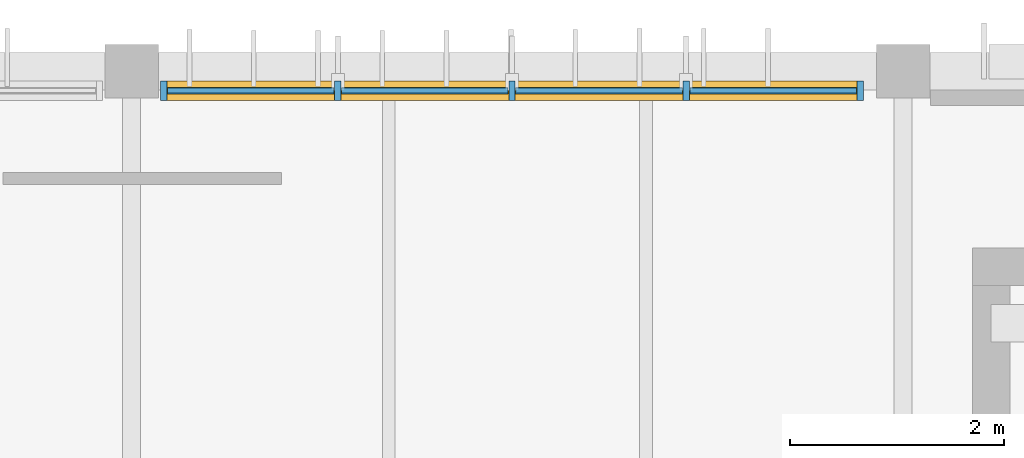
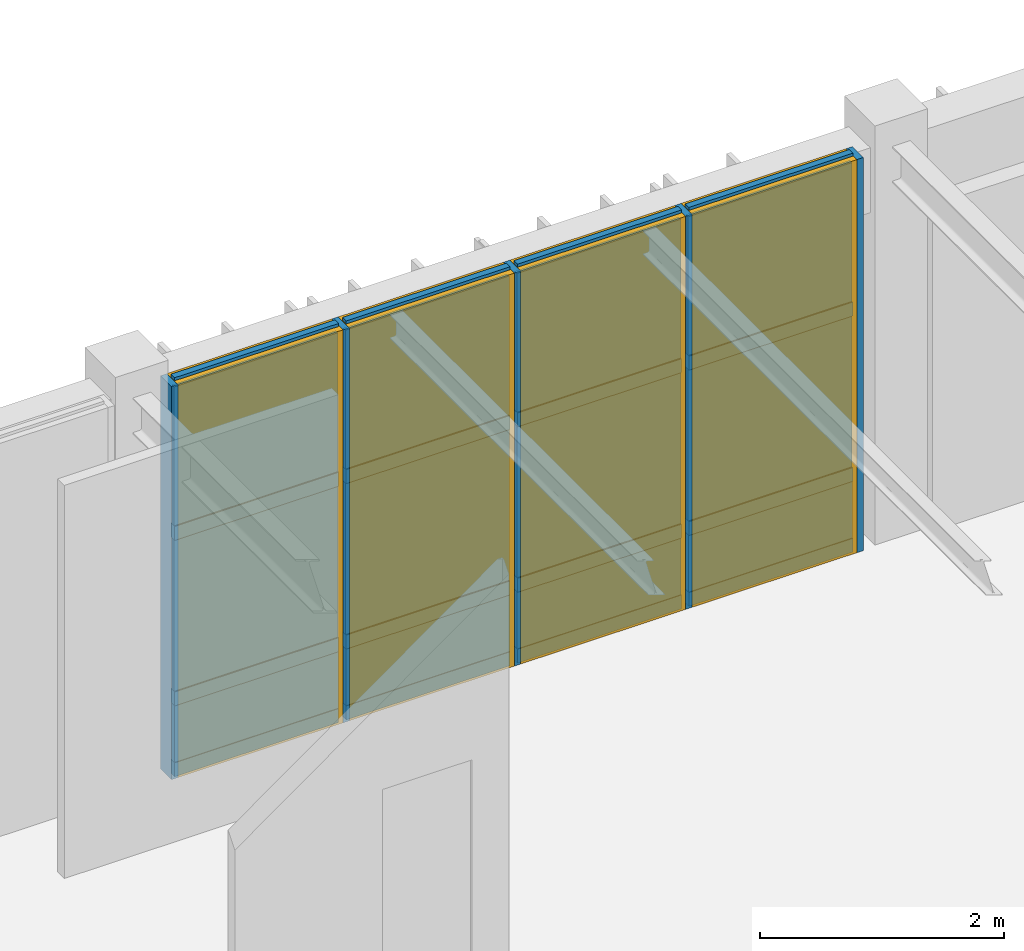
# One storey, part 97 of 122: 21 members, 12 plates, 1 curtain wall.
"""IFC4 building model written with IfcOpenShell, lengths in metres."""

import ifcopenshell
import ifcopenshell.guid

model = None  # the IFC model being written
_history = None  # IfcOwnerHistory: only IFC2X3 demands one
_inside = {}  # id of a spatial element -> (the spatial element, [elements in it])
_under = {}  # id of a project, library or spatial element -> (it, [spatial elements below it])
_declared = {}  # id of a project -> (the project, [libraries it declares])
_typed = {}  # id of a type object -> (the type object, [elements of that type])
_made_of = {}  # id of a material, layer set ... -> (it, [elements and type objects made of it])


def new_model(schema):
    """Start an empty IFC model of exactly this schema.

    Asked for "IFC4X3", IfcOpenShell would pick the latest addendum, in which some entities
    have other attributes; the version numbers below select the first issue.
    IFC2X3 requires an IfcOwnerHistory on every rooted entity: one is made here for all.
    """
    global model, _history
    if schema == "IFC4X3":
        model = ifcopenshell.file(schema_version=(4, 3, 0, 0))
    else:
        model = ifcopenshell.file(schema=schema)
    _inside.clear()
    _under.clear()
    _declared.clear()
    _typed.clear()
    _made_of.clear()
    _history = None
    if model.schema == "IFC2X3":
        org = make("IfcOrganization", Name="unknown")
        user = make(
            "IfcPersonAndOrganization",
            ThePerson=make("IfcPerson", FamilyName="unknown"),
            TheOrganization=org,
        )
        app = make(
            "IfcApplication",
            ApplicationDeveloper=org,
            Version="unknown",
            ApplicationFullName="unknown",
            ApplicationIdentifier="unknown",
        )
        _history = make(
            "IfcOwnerHistory",
            OwningUser=user,
            OwningApplication=app,
            ChangeAction="ADDED",
            CreationDate=0,
        )
    return model


def make(cls, **values):
    """One entity of the class cls with the attributes given. An attribute that is None is left unset."""
    return model.create_entity(
        cls, **{name: value for name, value in values.items() if value is not None}
    )


def rooted(cls, **values):
    """An entity with a GlobalId (a new one), such as an element, a storey or a relation."""
    return make(cls, GlobalId=ifcopenshell.guid.new(), OwnerHistory=_history, **values)


def si_unit(unit_type, name, prefix=None):
    """IfcSIUnit, for example si_unit("LENGTHUNIT", "METRE", prefix="MILLI")."""
    return make("IfcSIUnit", UnitType=unit_type, Prefix=prefix, Name=name)


def assignment(units):
    """IfcUnitAssignment: the units of a project."""
    return None if units is None else make("IfcUnitAssignment", Units=units)


def point(xyz):
    """IfcCartesianPoint."""
    return None if xyz is None else make("IfcCartesianPoint", Coordinates=xyz)


def direction(xyz):
    """IfcDirection."""
    return None if xyz is None else make("IfcDirection", DirectionRatios=xyz)


def frame(location, z_axis=None, x_axis=None):
    """IfcAxis2Placement3D, a coordinate frame: its origin and axes. An axis left out is left unset."""
    return make(
        "IfcAxis2Placement3D",
        Location=point(location),
        Axis=direction(z_axis),
        RefDirection=direction(x_axis),
    )


def frame_2d(location, x_axis=None):
    """IfcAxis2Placement2D, a coordinate frame in the plane: its origin and x axis."""
    return make(
        "IfcAxis2Placement2D", Location=point(location), RefDirection=direction(x_axis)
    )


def origin():
    """The frame at (0, 0, 0) with its axes left unset."""
    return frame((0.0, 0.0, 0.0))


def origin_2d():
    """The frame at (0, 0) in the plane with its x axis left unset."""
    return frame_2d((0.0, 0.0))


def place(relative_to, where):
    """IfcLocalPlacement: puts the frame where relative to a parent placement (None: the world)."""
    return make(
        "IfcLocalPlacement", PlacementRelTo=relative_to, RelativePlacement=where
    )


def context(
    kind, dimensions, precision=None, world=None, true_north=None, identifier=None
):
    """IfcGeometricRepresentationContext, for example the 3D "Model" context."""
    return make(
        "IfcGeometricRepresentationContext",
        ContextIdentifier=identifier,
        ContextType=kind,
        CoordinateSpaceDimension=dimensions,
        Precision=precision,
        WorldCoordinateSystem=world,
        TrueNorth=true_north,
    )


def subcontext(parent, identifier, kind, view, scale=None):
    """IfcGeometricRepresentationSubContext, for example "Body" below "Model"."""
    return make(
        "IfcGeometricRepresentationSubContext",
        ContextIdentifier=identifier,
        ContextType=kind,
        ParentContext=parent,
        TargetScale=scale,
        TargetView=view,
    )


def project(units=None, contexts=None):
    """IfcProject with its units and contexts."""
    return rooted(
        "IfcProject",
        Name="project",
        RepresentationContexts=contexts,
        UnitsInContext=assignment(units),
    )


def spatial(cls, under=None, at=None, **own):
    """A site, building, storey or space (cls), placed at a placement, below another one or the project."""
    s = rooted(cls, ObjectPlacement=at, **own)
    if under is not None:
        _under.setdefault(under.id(), (under, []))[1].append(s)
    return s


def profile(cls, at=None, kind="AREA", **sizes):
    """A parametric profile (cls). Its sizes go by their IFC names, for example OverallWidth=200.0."""
    return make(cls, ProfileType=kind, Position=at, **sizes)


def rectangle(**sizes):
    """IfcRectangleProfileDef."""
    return profile("IfcRectangleProfileDef", **sizes)


def extrude(swept, where, along, depth):
    """IfcExtrudedAreaSolid: the profile swept, set in the frame where, extruded along a direction by depth."""
    return make(
        "IfcExtrudedAreaSolid",
        SweptArea=swept,
        Position=where,
        ExtrudedDirection=direction(along),
        Depth=depth,
    )


def shape(context_of_items, identifier, shape_type, items):
    """IfcShapeRepresentation: the items that make up one representation, for example the "Body"."""
    return make(
        "IfcShapeRepresentation",
        ContextOfItems=context_of_items,
        RepresentationIdentifier=identifier,
        RepresentationType=shape_type,
        Items=items,
    )


def material(Name=None, Category=None):
    """IfcMaterial."""
    return make("IfcMaterial", Name=Name, Category=Category)


def layer(
    of_material, thickness, ventilated=None, Name=None, Category=None, Priority=None
):
    """IfcMaterialLayer: one layer of a wall or slab, of a material (None: an air gap)."""
    return make(
        "IfcMaterialLayer",
        Material=of_material,
        LayerThickness=thickness,
        IsVentilated=ventilated,
        Name=Name,
        Category=Category,
        Priority=Priority,
    )


def layer_set(layers, Name=None):
    """IfcMaterialLayerSet."""
    return make("IfcMaterialLayerSet", MaterialLayers=layers, LayerSetName=Name)


def material_profile(
    of_material, cross_section, Name=None, Category=None, Priority=None
):
    """IfcMaterialProfile: a cross section and its material."""
    return make(
        "IfcMaterialProfile",
        Name=Name,
        Material=of_material,
        Profile=cross_section,
        Priority=Priority,
        Category=Category,
    )


def profile_set(profiles, Name=None, composite=None):
    """IfcMaterialProfileSet."""
    return make(
        "IfcMaterialProfileSet",
        Name=Name,
        MaterialProfiles=profiles,
        CompositeProfile=composite,
    )


def made_of(thing, what):
    """Note that an element or type object is made of a material, layer set ...; save() writes the relation."""
    if what is not None:
        _made_of.setdefault(what.id(), (what, []))[1].append(thing)
    return thing


def type_object(cls, material=None, **own):
    """A type object (cls), such as IfcWallType, which elements share."""
    return made_of(rooted(cls, **own), material)


def element(
    cls,
    number,
    at=None,
    inside=None,
    cuts=None,
    type_object=None,
    material=None,
    context=None,
    identifier="Body",
    shape_type=None,
    held_by="IfcProductDefinitionShape",
    body=None,
    shapes=None,
    **own,
):
    """One element of the class cls, such as IfcWall. Its Tag is "e" and its number.

    at: its placement. inside: the storey or other place that contains it. cuts: it is an
    opening in that element (IfcRelVoidsElement). A single representation is given by context,
    identifier, shape_type and body (its items); several are given by shapes. held_by: the class
    of the entity that holds the representations. save() writes the other relations.
    """
    e = rooted(cls, Tag="e%d" % number, ObjectPlacement=at, **own)
    if body is not None:
        shapes = [shape(context, identifier, shape_type, body)]
    if shapes is not None:
        e.Representation = make(held_by, Representations=shapes)
    if inside is not None:
        _inside.setdefault(inside.id(), (inside, []))[1].append(e)
    if cuts is not None:
        rooted(
            "IfcRelVoidsElement", RelatingBuildingElement=cuts, RelatedOpeningElement=e
        )
    if type_object is not None:
        _typed.setdefault(type_object.id(), (type_object, []))[1].append(e)
    return made_of(e, material)


def aggregate(whole, parts):
    """IfcRelAggregates: a whole, such as a stair, and the parts it consists of."""
    return rooted("IfcRelAggregates", RelatingObject=whole, RelatedObjects=parts)


def save(model, path):
    """Write the relations noted so far, then the file.

    IfcRelAggregates (storeys below a building ...), IfcRelContainedInSpatialStructure (elements
    in a storey), IfcRelDefinesByType, IfcRelAssociatesMaterial and IfcRelDeclares: one each for
    every whole, place, type object, material and project.
    """
    for whole, parts in _under.values():
        aggregate(whole, parts)
    for where, things in _inside.values():
        rooted(
            "IfcRelContainedInSpatialStructure",
            RelatedElements=things,
            RelatingStructure=where,
        )
    for kind, things in _typed.values():
        rooted("IfcRelDefinesByType", RelatedObjects=things, RelatingType=kind)
    for what, things in _made_of.values():
        rooted("IfcRelAssociatesMaterial", RelatedObjects=things, RelatingMaterial=what)
    for by, libraries in _declared.values():
        rooted("IfcRelDeclares", RelatingContext=by, RelatedDefinitions=libraries)
    model.write(path)


model = new_model("IFC4")

# Units and contexts
model_context = context("Model", 3, precision=1e-05, world=origin(), true_north=direction((0.0, 1.0)))
body_context = subcontext(model_context, "Body", "Model", "MODEL_VIEW")
ifc_project = project(units=[si_unit("LENGTHUNIT", "METRE"), si_unit("AREAUNIT", "SQUARE_METRE"), si_unit("VOLUMEUNIT", "CUBIC_METRE"), si_unit("PLANEANGLEUNIT", "RADIAN"), si_unit("MASSUNIT", "GRAM", prefix="KILO")], contexts=[model_context])

# Member
ifc_material_1 = material(Name="Anodised Bronze Aluminium 6063-T6", Category="aluminium")
ifc_material_profile_1 = material_profile(ifc_material_1, rectangle(XDim=0.06005859375, YDim=0.179931640625, at=origin_2d()), Name="ALU MULLION 60x180")
ifc_profile_set_1 = profile_set([ifc_material_profile_1], Name="Anodised Bronze Aluminium 6063-T6")
member_type_1 = type_object("IfcMemberType", Name="Curtain-Wall Primary Mullion 60x180", PredefinedType="MULLION", material=ifc_profile_set_1)
site_placement = place(None, origin())
building_placement = place(site_placement, origin())
storey_placement = place(building_placement, frame((0.0, 0.0, 4.800048828125)))
member_1_placement = place(storey_placement, frame((110.10009765625, 111.6201171875, 0.0), z_axis=(0.0, 0.0, 1.0), x_axis=(1.0, 0.0, 0.0)))
member_1 = element("IfcMember", 1, at=member_1_placement, type_object=member_type_1, Name="Mullion CWM-01 CW-V3-N1-L01-B2-M01", PredefinedType="MULLION", context=body_context, shape_type="SweptSolid", body=[
    extrude(rectangle(XDim=0.06005859375, YDim=0.179931640625, at=origin_2d()), origin(), (0.0, 0.0, 1.0), 3.93994140625),
])

member_2_placement = place(storey_placement, frame((111.72509765625, 111.6201171875, 0.0), z_axis=(0.0, 0.0, 1.0), x_axis=(1.0, 0.0, 0.0)))
member_2 = element("IfcMember", 2, at=member_2_placement, type_object=member_type_1, Name="Mullion CWM-01 CW-V3-N1-L01-B2-M02", PredefinedType="MULLION", context=body_context, shape_type="SweptSolid", body=[
    extrude(rectangle(XDim=0.06005859375, YDim=0.179931640625, at=origin_2d()), origin(), (0.0, 0.0, 1.0), 3.93994140625),
])

member_3_placement = place(storey_placement, frame((113.35009765625, 111.6201171875, 0.0), z_axis=(0.0, 0.0, 1.0), x_axis=(1.0, 0.0, 0.0)))
member_3 = element("IfcMember", 3, at=member_3_placement, type_object=member_type_1, Name="Mullion CWM-01 CW-V3-N1-L01-B2-M03", PredefinedType="MULLION", context=body_context, shape_type="SweptSolid", body=[
    extrude(rectangle(XDim=0.06005859375, YDim=0.179931640625, at=origin_2d()), origin(), (0.0, 0.0, 1.0), 3.93994140625),
])

member_4_placement = place(storey_placement, frame((114.97509765625, 111.6201171875, 0.0), z_axis=(0.0, 0.0, 1.0), x_axis=(1.0, 0.0, 0.0)))
member_4 = element("IfcMember", 4, at=member_4_placement, type_object=member_type_1, Name="Mullion CWM-01 CW-V3-N1-L01-B2-M04", PredefinedType="MULLION", context=body_context, shape_type="SweptSolid", body=[
    extrude(rectangle(XDim=0.06005859375, YDim=0.179931640625, at=origin_2d()), origin(), (0.0, 0.0, 1.0), 3.93994140625),
])

member_5_placement = place(storey_placement, frame((116.60009765625, 111.6201171875, 0.0), z_axis=(0.0, 0.0, 1.0), x_axis=(1.0, 0.0, 0.0)))
member_5 = element("IfcMember", 5, at=member_5_placement, type_object=member_type_1, Name="Mullion CWM-01 CW-V3-N1-L01-B2-M05", PredefinedType="MULLION", context=body_context, shape_type="SweptSolid", body=[
    extrude(rectangle(XDim=0.06005859375, YDim=0.179931640625, at=origin_2d()), origin(), (0.0, 0.0, 1.0), 3.93994140625),
])

ifc_material_profile_2 = material_profile(ifc_material_1, rectangle(XDim=0.06005859375, YDim=0.139892578125, at=origin_2d()), Name="ALU TRANSOM 60x140")
ifc_profile_set_2 = profile_set([ifc_material_profile_2], Name="Anodised Bronze Aluminium 6063-T6")
member_type_2 = type_object("IfcMemberType", Name="Curtain-Wall Transom 60x140", PredefinedType="USERDEFINED", material=ifc_profile_set_2)
member_6_placement = place(storey_placement, frame((110.135009765625, 111.6201171875, 0.0400390625), z_axis=(1.0, 0.0, 0.0), x_axis=(0.0, 1.0, 0.0)))
member_6 = element("IfcMember", 6, at=member_6_placement, type_object=member_type_2, Name="Transom CWT-01 CW-V3-N1-L01-B2-T01.1", ObjectType="TRANSOM", PredefinedType="USERDEFINED", context=body_context, shape_type="SweptSolid", body=[
    extrude(rectangle(XDim=0.06005859375, YDim=0.139892578125, at=origin_2d()), origin(), (0.0, 0.0, 1.0), 1.554931640625),
])

member_7_placement = place(storey_placement, frame((110.135009765625, 111.6201171875, 0.75), z_axis=(1.0, 0.0, 0.0), x_axis=(0.0, 1.0, 0.0)))
member_7 = element("IfcMember", 7, at=member_7_placement, type_object=member_type_2, Name="Transom CWT-01 CW-V3-N1-L01-B2-T01.2", ObjectType="TRANSOM", PredefinedType="USERDEFINED", context=body_context, shape_type="SweptSolid", body=[
    extrude(rectangle(XDim=0.06005859375, YDim=0.139892578125, at=origin_2d()), origin(), (0.0, 0.0, 1.0), 1.554931640625),
])

member_8_placement = place(storey_placement, frame((110.135009765625, 111.6201171875, 2.40869140625), z_axis=(1.0, 0.0, 0.0), x_axis=(0.0, 1.0, 0.0)))
member_8 = element("IfcMember", 8, at=member_8_placement, type_object=member_type_2, Name="Transom CWT-01 CW-V3-N1-L01-B2-T01.3", ObjectType="TRANSOM", PredefinedType="USERDEFINED", context=body_context, shape_type="SweptSolid", body=[
    extrude(rectangle(XDim=0.06005859375, YDim=0.139892578125, at=origin_2d()), origin(), (0.0, 0.0, 1.0), 1.554931640625),
])

member_9_placement = place(storey_placement, frame((110.135009765625, 111.6201171875, 3.89990234375), z_axis=(1.0, 0.0, 0.0), x_axis=(0.0, 1.0, 0.0)))
member_9 = element("IfcMember", 9, at=member_9_placement, type_object=member_type_2, Name="Transom CWT-01 CW-V3-N1-L01-B2-T01.4", ObjectType="TRANSOM", PredefinedType="USERDEFINED", context=body_context, shape_type="SweptSolid", body=[
    extrude(rectangle(XDim=0.06005859375, YDim=0.139892578125, at=origin_2d()), origin(), (0.0, 0.0, 1.0), 1.554931640625),
])

member_10_placement = place(storey_placement, frame((111.760009765625, 111.6201171875, 0.0400390625), z_axis=(1.0, 0.0, 0.0), x_axis=(0.0, 1.0, 0.0)))
member_10 = element("IfcMember", 10, at=member_10_placement, type_object=member_type_2, Name="Transom CWT-01 CW-V3-N1-L01-B2-T02.1", ObjectType="TRANSOM", PredefinedType="USERDEFINED", context=body_context, shape_type="SweptSolid", body=[
    extrude(rectangle(XDim=0.06005859375, YDim=0.139892578125, at=origin_2d()), origin(), (0.0, 0.0, 1.0), 1.554931640625),
])

member_11_placement = place(storey_placement, frame((111.760009765625, 111.6201171875, 0.75), z_axis=(1.0, 0.0, 0.0), x_axis=(0.0, 1.0, 0.0)))
member_11 = element("IfcMember", 11, at=member_11_placement, type_object=member_type_2, Name="Transom CWT-01 CW-V3-N1-L01-B2-T02.2", ObjectType="TRANSOM", PredefinedType="USERDEFINED", context=body_context, shape_type="SweptSolid", body=[
    extrude(rectangle(XDim=0.06005859375, YDim=0.139892578125, at=origin_2d()), origin(), (0.0, 0.0, 1.0), 1.554931640625),
])

member_12_placement = place(storey_placement, frame((111.760009765625, 111.6201171875, 2.40869140625), z_axis=(1.0, 0.0, 0.0), x_axis=(0.0, 1.0, 0.0)))
member_12 = element("IfcMember", 12, at=member_12_placement, type_object=member_type_2, Name="Transom CWT-01 CW-V3-N1-L01-B2-T02.3", ObjectType="TRANSOM", PredefinedType="USERDEFINED", context=body_context, shape_type="SweptSolid", body=[
    extrude(rectangle(XDim=0.06005859375, YDim=0.139892578125, at=origin_2d()), origin(), (0.0, 0.0, 1.0), 1.554931640625),
])

member_13_placement = place(storey_placement, frame((111.760009765625, 111.6201171875, 3.89990234375), z_axis=(1.0, 0.0, 0.0), x_axis=(0.0, 1.0, 0.0)))
member_13 = element("IfcMember", 13, at=member_13_placement, type_object=member_type_2, Name="Transom CWT-01 CW-V3-N1-L01-B2-T02.4", ObjectType="TRANSOM", PredefinedType="USERDEFINED", context=body_context, shape_type="SweptSolid", body=[
    extrude(rectangle(XDim=0.06005859375, YDim=0.139892578125, at=origin_2d()), origin(), (0.0, 0.0, 1.0), 1.554931640625),
])

member_14_placement = place(storey_placement, frame((113.385009765625, 111.6201171875, 0.0400390625), z_axis=(1.0, 0.0, 0.0), x_axis=(0.0, 1.0, 0.0)))
member_14 = element("IfcMember", 14, at=member_14_placement, type_object=member_type_2, Name="Transom CWT-01 CW-V3-N1-L01-B2-T03.1", ObjectType="TRANSOM", PredefinedType="USERDEFINED", context=body_context, shape_type="SweptSolid", body=[
    extrude(rectangle(XDim=0.06005859375, YDim=0.139892578125, at=origin_2d()), origin(), (0.0, 0.0, 1.0), 1.554931640625),
])

member_15_placement = place(storey_placement, frame((113.385009765625, 111.6201171875, 0.75), z_axis=(1.0, 0.0, 0.0), x_axis=(0.0, 1.0, 0.0)))
member_15 = element("IfcMember", 15, at=member_15_placement, type_object=member_type_2, Name="Transom CWT-01 CW-V3-N1-L01-B2-T03.2", ObjectType="TRANSOM", PredefinedType="USERDEFINED", context=body_context, shape_type="SweptSolid", body=[
    extrude(rectangle(XDim=0.06005859375, YDim=0.139892578125, at=origin_2d()), origin(), (0.0, 0.0, 1.0), 1.554931640625),
])

member_16_placement = place(storey_placement, frame((113.385009765625, 111.6201171875, 2.40869140625), z_axis=(1.0, 0.0, 0.0), x_axis=(0.0, 1.0, 0.0)))
member_16 = element("IfcMember", 16, at=member_16_placement, type_object=member_type_2, Name="Transom CWT-01 CW-V3-N1-L01-B2-T03.3", ObjectType="TRANSOM", PredefinedType="USERDEFINED", context=body_context, shape_type="SweptSolid", body=[
    extrude(rectangle(XDim=0.06005859375, YDim=0.139892578125, at=origin_2d()), origin(), (0.0, 0.0, 1.0), 1.554931640625),
])

member_17_placement = place(storey_placement, frame((113.385009765625, 111.6201171875, 3.89990234375), z_axis=(1.0, 0.0, 0.0), x_axis=(0.0, 1.0, 0.0)))
member_17 = element("IfcMember", 17, at=member_17_placement, type_object=member_type_2, Name="Transom CWT-01 CW-V3-N1-L01-B2-T03.4", ObjectType="TRANSOM", PredefinedType="USERDEFINED", context=body_context, shape_type="SweptSolid", body=[
    extrude(rectangle(XDim=0.06005859375, YDim=0.139892578125, at=origin_2d()), origin(), (0.0, 0.0, 1.0), 1.554931640625),
])

member_18_placement = place(storey_placement, frame((115.010009765625, 111.6201171875, 0.0400390625), z_axis=(1.0, 0.0, 0.0), x_axis=(0.0, 1.0, 0.0)))
member_18 = element("IfcMember", 18, at=member_18_placement, type_object=member_type_2, Name="Transom CWT-01 CW-V3-N1-L01-B2-T04.1", ObjectType="TRANSOM", PredefinedType="USERDEFINED", context=body_context, shape_type="SweptSolid", body=[
    extrude(rectangle(XDim=0.06005859375, YDim=0.139892578125, at=origin_2d()), origin(), (0.0, 0.0, 1.0), 1.554931640625),
])

member_19_placement = place(storey_placement, frame((115.010009765625, 111.6201171875, 0.75), z_axis=(1.0, 0.0, 0.0), x_axis=(0.0, 1.0, 0.0)))
member_19 = element("IfcMember", 19, at=member_19_placement, type_object=member_type_2, Name="Transom CWT-01 CW-V3-N1-L01-B2-T04.2", ObjectType="TRANSOM", PredefinedType="USERDEFINED", context=body_context, shape_type="SweptSolid", body=[
    extrude(rectangle(XDim=0.06005859375, YDim=0.139892578125, at=origin_2d()), origin(), (0.0, 0.0, 1.0), 1.554931640625),
])

member_20_placement = place(storey_placement, frame((115.010009765625, 111.6201171875, 2.40869140625), z_axis=(1.0, 0.0, 0.0), x_axis=(0.0, 1.0, 0.0)))
member_20 = element("IfcMember", 20, at=member_20_placement, type_object=member_type_2, Name="Transom CWT-01 CW-V3-N1-L01-B2-T04.3", ObjectType="TRANSOM", PredefinedType="USERDEFINED", context=body_context, shape_type="SweptSolid", body=[
    extrude(rectangle(XDim=0.06005859375, YDim=0.139892578125, at=origin_2d()), origin(), (0.0, 0.0, 1.0), 1.554931640625),
])

member_21_placement = place(storey_placement, frame((115.010009765625, 111.6201171875, 3.89990234375), z_axis=(1.0, 0.0, 0.0), x_axis=(0.0, 1.0, 0.0)))
member_21 = element("IfcMember", 21, at=member_21_placement, type_object=member_type_2, Name="Transom CWT-01 CW-V3-N1-L01-B2-T04.4", ObjectType="TRANSOM", PredefinedType="USERDEFINED", context=body_context, shape_type="SweptSolid", body=[
    extrude(rectangle(XDim=0.06005859375, YDim=0.139892578125, at=origin_2d()), origin(), (0.0, 0.0, 1.0), 1.554931640625),
])

# Plate
ifc_material_2 = material(Name="Insulated Bronze Aluminium Spandrel Panel", Category="aluminium")
ifc_layer_1 = layer(ifc_material_2, 0.050048828125, Name="Insulated Bronze Aluminium Spandrel Panel")
ifc_layer_set_1 = layer_set([ifc_layer_1], Name="Insulated Bronze Aluminium Spandrel Panel")
plate_type_1 = type_object("IfcPlateType", Name="Insulated Anodised Aluminium Spandrel Cassette 50", PredefinedType="CURTAIN_PANEL", material=ifc_layer_set_1)
plate_1_placement = place(storey_placement, frame((110.91259765625, 111.6201171875, 0.070068359375), z_axis=(0.0, 0.0, 1.0), x_axis=(1.0, 0.0, 0.0)))
plate_1 = element("IfcPlate", 22, at=plate_1_placement, type_object=plate_type_1, Name="Curtain Panel CWP-03 CW-V3-N1-L01-B2-P01.1", PredefinedType="CURTAIN_PANEL", context=body_context, shape_type="SweptSolid", body=[
    extrude(rectangle(XDim=1.554931640625, YDim=0.050048828125, at=origin_2d()), origin(), (0.0, 0.0, 1.0), 0.64990234375),
])

plate_2_placement = place(storey_placement, frame((112.53759765625, 111.6201171875, 0.070068359375), z_axis=(0.0, 0.0, 1.0), x_axis=(1.0, 0.0, 0.0)))
plate_2 = element("IfcPlate", 23, at=plate_2_placement, type_object=plate_type_1, Name="Curtain Panel CWP-03 CW-V3-N1-L01-B2-P02.1", PredefinedType="CURTAIN_PANEL", context=body_context, shape_type="SweptSolid", body=[
    extrude(rectangle(XDim=1.554931640625, YDim=0.050048828125, at=origin_2d()), origin(), (0.0, 0.0, 1.0), 0.64990234375),
])

plate_3_placement = place(storey_placement, frame((114.16259765625, 111.6201171875, 0.070068359375), z_axis=(0.0, 0.0, 1.0), x_axis=(1.0, 0.0, 0.0)))
plate_3 = element("IfcPlate", 24, at=plate_3_placement, type_object=plate_type_1, Name="Curtain Panel CWP-03 CW-V3-N1-L01-B2-P03.1", PredefinedType="CURTAIN_PANEL", context=body_context, shape_type="SweptSolid", body=[
    extrude(rectangle(XDim=1.554931640625, YDim=0.050048828125, at=origin_2d()), origin(), (0.0, 0.0, 1.0), 0.64990234375),
])

plate_4_placement = place(storey_placement, frame((115.78759765625, 111.6201171875, 0.070068359375), z_axis=(0.0, 0.0, 1.0), x_axis=(1.0, 0.0, 0.0)))
plate_4 = element("IfcPlate", 25, at=plate_4_placement, type_object=plate_type_1, Name="Curtain Panel CWP-03 CW-V3-N1-L01-B2-P04.1", PredefinedType="CURTAIN_PANEL", context=body_context, shape_type="SweptSolid", body=[
    extrude(rectangle(XDim=1.554931640625, YDim=0.050048828125, at=origin_2d()), origin(), (0.0, 0.0, 1.0), 0.64990234375),
])

ifc_material_3 = material(Name="Solar-Control Tempered Double Glazing", Category="glass")
ifc_layer_2 = layer(ifc_material_3, 0.0380859375, Name="Solar-Control Tempered Double Glazing")
ifc_layer_set_2 = layer_set([ifc_layer_2], Name="Solar-Control Tempered Double Glazing")
plate_type_2 = type_object("IfcPlateType", Name="Solar-Control Vision Glazing Unit 38", PredefinedType="CURTAIN_PANEL", material=ifc_layer_set_2)
plate_5_placement = place(storey_placement, frame((110.91259765625, 111.6201171875, 0.77978515625), z_axis=(0.0, 0.0, 1.0), x_axis=(1.0, 0.0, 0.0)))
plate_5 = element("IfcPlate", 26, at=plate_5_placement, type_object=plate_type_2, Name="Curtain Panel CWP-02 CW-V3-N1-L01-B2-P01.2", PredefinedType="CURTAIN_PANEL", context=body_context, shape_type="SweptSolid", body=[
    extrude(rectangle(XDim=1.554931640625, YDim=0.0380859375, at=origin_2d()), origin(), (0.0, 0.0, 1.0), 1.598876953125),
])

plate_6_placement = place(storey_placement, frame((110.91259765625, 111.6201171875, 2.438720703125), z_axis=(0.0, 0.0, 1.0), x_axis=(1.0, 0.0, 0.0)))
plate_6 = element("IfcPlate", 27, at=plate_6_placement, type_object=plate_type_2, Name="Curtain Panel CWP-02 CW-V3-N1-L01-B2-P01.3", PredefinedType="CURTAIN_PANEL", context=body_context, shape_type="SweptSolid", body=[
    extrude(rectangle(XDim=1.554931640625, YDim=0.0380859375, at=origin_2d()), origin(), (0.0, 0.0, 1.0), 1.43115234375),
])

plate_7_placement = place(storey_placement, frame((112.53759765625, 111.6201171875, 0.77978515625), z_axis=(0.0, 0.0, 1.0), x_axis=(1.0, 0.0, 0.0)))
plate_7 = element("IfcPlate", 28, at=plate_7_placement, type_object=plate_type_2, Name="Curtain Panel CWP-02 CW-V3-N1-L01-B2-P02.2", PredefinedType="CURTAIN_PANEL", context=body_context, shape_type="SweptSolid", body=[
    extrude(rectangle(XDim=1.554931640625, YDim=0.0380859375, at=origin_2d()), origin(), (0.0, 0.0, 1.0), 1.598876953125),
])

plate_8_placement = place(storey_placement, frame((112.53759765625, 111.6201171875, 2.438720703125), z_axis=(0.0, 0.0, 1.0), x_axis=(1.0, 0.0, 0.0)))
plate_8 = element("IfcPlate", 29, at=plate_8_placement, type_object=plate_type_2, Name="Curtain Panel CWP-02 CW-V3-N1-L01-B2-P02.3", PredefinedType="CURTAIN_PANEL", context=body_context, shape_type="SweptSolid", body=[
    extrude(rectangle(XDim=1.554931640625, YDim=0.0380859375, at=origin_2d()), origin(), (0.0, 0.0, 1.0), 1.43115234375),
])

plate_9_placement = place(storey_placement, frame((114.16259765625, 111.6201171875, 0.77978515625), z_axis=(0.0, 0.0, 1.0), x_axis=(1.0, 0.0, 0.0)))
plate_9 = element("IfcPlate", 30, at=plate_9_placement, type_object=plate_type_2, Name="Curtain Panel CWP-02 CW-V3-N1-L01-B2-P03.2", PredefinedType="CURTAIN_PANEL", context=body_context, shape_type="SweptSolid", body=[
    extrude(rectangle(XDim=1.554931640625, YDim=0.0380859375, at=origin_2d()), origin(), (0.0, 0.0, 1.0), 1.598876953125),
])

plate_10_placement = place(storey_placement, frame((114.16259765625, 111.6201171875, 2.438720703125), z_axis=(0.0, 0.0, 1.0), x_axis=(1.0, 0.0, 0.0)))
plate_10 = element("IfcPlate", 31, at=plate_10_placement, type_object=plate_type_2, Name="Curtain Panel CWP-02 CW-V3-N1-L01-B2-P03.3", PredefinedType="CURTAIN_PANEL", context=body_context, shape_type="SweptSolid", body=[
    extrude(rectangle(XDim=1.554931640625, YDim=0.0380859375, at=origin_2d()), origin(), (0.0, 0.0, 1.0), 1.43115234375),
])

plate_11_placement = place(storey_placement, frame((115.78759765625, 111.6201171875, 0.77978515625), z_axis=(0.0, 0.0, 1.0), x_axis=(1.0, 0.0, 0.0)))
plate_11 = element("IfcPlate", 32, at=plate_11_placement, type_object=plate_type_2, Name="Curtain Panel CWP-02 CW-V3-N1-L01-B2-P04.2", PredefinedType="CURTAIN_PANEL", context=body_context, shape_type="SweptSolid", body=[
    extrude(rectangle(XDim=1.554931640625, YDim=0.0380859375, at=origin_2d()), origin(), (0.0, 0.0, 1.0), 1.598876953125),
])

plate_12_placement = place(storey_placement, frame((115.78759765625, 111.6201171875, 2.438720703125), z_axis=(0.0, 0.0, 1.0), x_axis=(1.0, 0.0, 0.0)))
plate_12 = element("IfcPlate", 33, at=plate_12_placement, type_object=plate_type_2, Name="Curtain Panel CWP-02 CW-V3-N1-L01-B2-P04.3", PredefinedType="CURTAIN_PANEL", context=body_context, shape_type="SweptSolid", body=[
    extrude(rectangle(XDim=1.554931640625, YDim=0.0380859375, at=origin_2d()), origin(), (0.0, 0.0, 1.0), 1.43115234375),
])

# Site, building, storey
site = spatial("IfcSite", under=ifc_project, at=site_placement, CompositionType="ELEMENT")
building = spatial("IfcBuilding", under=site, at=building_placement, Name="Tazoul Stagehouse", CompositionType="ELEMENT")
storey = spatial("IfcBuildingStorey", under=building, at=storey_placement, Name="L01", CompositionType="ELEMENT", Elevation=4.800048828125)

# Curtain wall
curtain_wall_type = type_object("IfcCurtainWallType", Name="Rehearsal North Daylight Curtain Wall", PredefinedType="NOTDEFINED", material=ifc_material_1)
curtain_wall_placement = place(storey_placement, frame((110.10009765625, 111.6201171875, 0.0), z_axis=(0.0, 0.0, 1.0), x_axis=(1.0, 0.0, 0.0)))
curtain_wall = element("IfcCurtainWall", 34, at=curtain_wall_placement, inside=storey, type_object=curtain_wall_type, Name="L01 Curtain Wall CW-04 (CW-V3-N1-L01-B2)", PredefinedType="NOTDEFINED", context=body_context, shape_type="SweptSolid", body=[
    extrude(rectangle(XDim=6.5, YDim=0.179931640625, at=frame_2d((3.25, 0.0))), origin(), (0.0, 0.0, 1.0), 3.93994140625),
])

aggregate(curtain_wall, [member_1, member_2, member_3, member_4, member_5, member_6, member_7, member_8, member_9, plate_1, plate_5, plate_6, member_10, member_11, member_12, member_13, plate_2, plate_7, plate_8, member_14, member_15, member_16, member_17, plate_3, plate_9, plate_10, member_18, member_19, member_20, member_21, plate_4, plate_11, plate_12])

save(model, "model.ifc")
